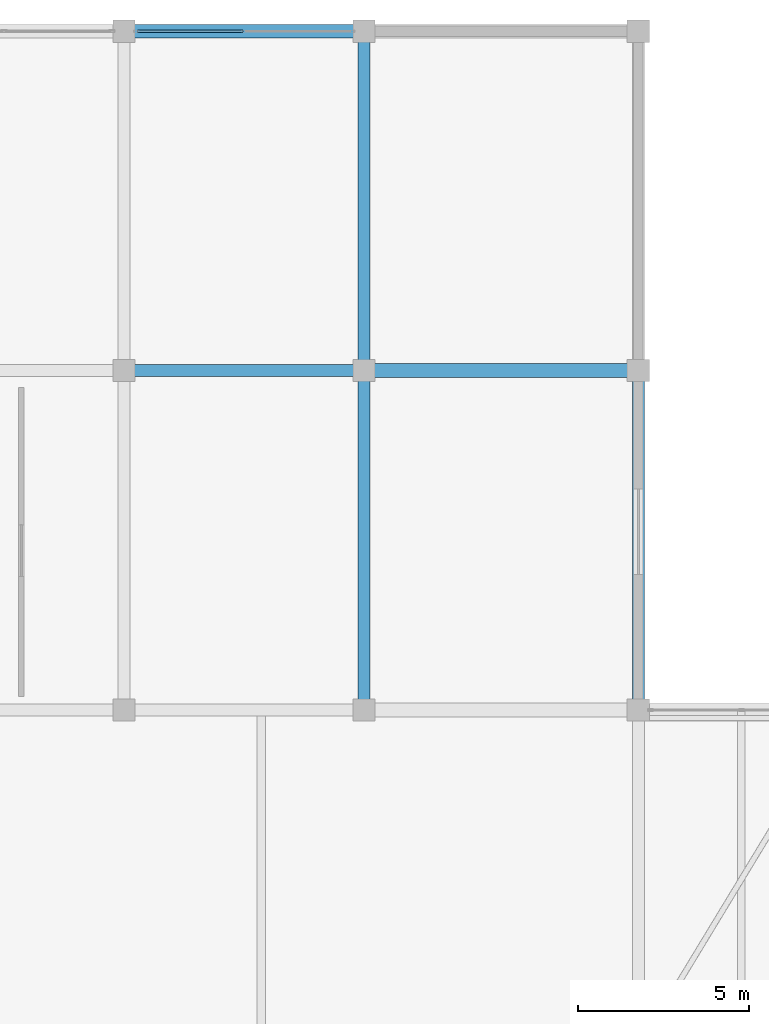
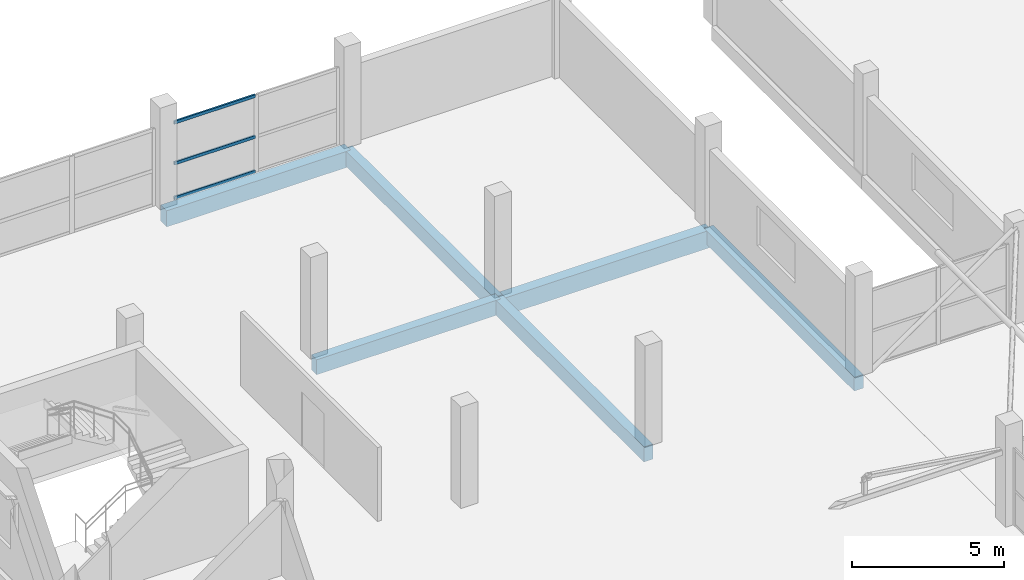
# One storey, part 45 of 66: 6 beams, 3 members, 1 element without a shape of its own.
"""IFC4 building model written with IfcOpenShell, lengths in metres."""

import ifcopenshell
import ifcopenshell.guid

model = None  # the IFC model being written
_history = None  # IfcOwnerHistory: only IFC2X3 demands one
_inside = {}  # id of a spatial element -> (the spatial element, [elements in it])
_under = {}  # id of a project, library or spatial element -> (it, [spatial elements below it])
_declared = {}  # id of a project -> (the project, [libraries it declares])
_typed = {}  # id of a type object -> (the type object, [elements of that type])
_made_of = {}  # id of a material, layer set ... -> (it, [elements and type objects made of it])


def new_model(schema):
    """Start an empty IFC model of exactly this schema.

    Asked for "IFC4X3", IfcOpenShell would pick the latest addendum, in which some entities
    have other attributes; the version numbers below select the first issue.
    IFC2X3 requires an IfcOwnerHistory on every rooted entity: one is made here for all.
    """
    global model, _history
    if schema == "IFC4X3":
        model = ifcopenshell.file(schema_version=(4, 3, 0, 0))
    else:
        model = ifcopenshell.file(schema=schema)
    _inside.clear()
    _under.clear()
    _declared.clear()
    _typed.clear()
    _made_of.clear()
    _history = None
    if model.schema == "IFC2X3":
        org = make("IfcOrganization", Name="unknown")
        user = make(
            "IfcPersonAndOrganization",
            ThePerson=make("IfcPerson", FamilyName="unknown"),
            TheOrganization=org,
        )
        app = make(
            "IfcApplication",
            ApplicationDeveloper=org,
            Version="unknown",
            ApplicationFullName="unknown",
            ApplicationIdentifier="unknown",
        )
        _history = make(
            "IfcOwnerHistory",
            OwningUser=user,
            OwningApplication=app,
            ChangeAction="ADDED",
            CreationDate=0,
        )
    return model


def make(cls, **values):
    """One entity of the class cls with the attributes given. An attribute that is None is left unset."""
    return model.create_entity(
        cls, **{name: value for name, value in values.items() if value is not None}
    )


def rooted(cls, **values):
    """An entity with a GlobalId (a new one), such as an element, a storey or a relation."""
    return make(cls, GlobalId=ifcopenshell.guid.new(), OwnerHistory=_history, **values)


def si_unit(unit_type, name, prefix=None):
    """IfcSIUnit, for example si_unit("LENGTHUNIT", "METRE", prefix="MILLI")."""
    return make("IfcSIUnit", UnitType=unit_type, Prefix=prefix, Name=name)


def assignment(units):
    """IfcUnitAssignment: the units of a project."""
    return None if units is None else make("IfcUnitAssignment", Units=units)


def point(xyz):
    """IfcCartesianPoint."""
    return None if xyz is None else make("IfcCartesianPoint", Coordinates=xyz)


def direction(xyz):
    """IfcDirection."""
    return None if xyz is None else make("IfcDirection", DirectionRatios=xyz)


def frame(location, z_axis=None, x_axis=None):
    """IfcAxis2Placement3D, a coordinate frame: its origin and axes. An axis left out is left unset."""
    return make(
        "IfcAxis2Placement3D",
        Location=point(location),
        Axis=direction(z_axis),
        RefDirection=direction(x_axis),
    )


def frame_2d(location, x_axis=None):
    """IfcAxis2Placement2D, a coordinate frame in the plane: its origin and x axis."""
    return make(
        "IfcAxis2Placement2D", Location=point(location), RefDirection=direction(x_axis)
    )


def origin():
    """The frame at (0, 0, 0) with its axes left unset."""
    return frame((0.0, 0.0, 0.0))


def origin_2d():
    """The frame at (0, 0) in the plane with its x axis left unset."""
    return frame_2d((0.0, 0.0))


def place(relative_to, where):
    """IfcLocalPlacement: puts the frame where relative to a parent placement (None: the world)."""
    return make(
        "IfcLocalPlacement", PlacementRelTo=relative_to, RelativePlacement=where
    )


def context(
    kind, dimensions, precision=None, world=None, true_north=None, identifier=None
):
    """IfcGeometricRepresentationContext, for example the 3D "Model" context."""
    return make(
        "IfcGeometricRepresentationContext",
        ContextIdentifier=identifier,
        ContextType=kind,
        CoordinateSpaceDimension=dimensions,
        Precision=precision,
        WorldCoordinateSystem=world,
        TrueNorth=true_north,
    )


def subcontext(parent, identifier, kind, view, scale=None):
    """IfcGeometricRepresentationSubContext, for example "Body" below "Model"."""
    return make(
        "IfcGeometricRepresentationSubContext",
        ContextIdentifier=identifier,
        ContextType=kind,
        ParentContext=parent,
        TargetScale=scale,
        TargetView=view,
    )


def project(units=None, contexts=None):
    """IfcProject with its units and contexts."""
    return rooted(
        "IfcProject",
        Name="project",
        RepresentationContexts=contexts,
        UnitsInContext=assignment(units),
    )


def spatial(cls, under=None, at=None, **own):
    """A site, building, storey or space (cls), placed at a placement, below another one or the project."""
    s = rooted(cls, ObjectPlacement=at, **own)
    if under is not None:
        _under.setdefault(under.id(), (under, []))[1].append(s)
    return s


def profile(cls, at=None, kind="AREA", **sizes):
    """A parametric profile (cls). Its sizes go by their IFC names, for example OverallWidth=200.0."""
    return make(cls, ProfileType=kind, Position=at, **sizes)


def rectangle(**sizes):
    """IfcRectangleProfileDef."""
    return profile("IfcRectangleProfileDef", **sizes)


def hollow_rectangle(**sizes):
    """IfcRectangleHollowProfileDef."""
    return profile("IfcRectangleHollowProfileDef", **sizes)


def extrude(swept, where, along, depth):
    """IfcExtrudedAreaSolid: the profile swept, set in the frame where, extruded along a direction by depth."""
    return make(
        "IfcExtrudedAreaSolid",
        SweptArea=swept,
        Position=where,
        ExtrudedDirection=direction(along),
        Depth=depth,
    )


def shape(context_of_items, identifier, shape_type, items):
    """IfcShapeRepresentation: the items that make up one representation, for example the "Body"."""
    return make(
        "IfcShapeRepresentation",
        ContextOfItems=context_of_items,
        RepresentationIdentifier=identifier,
        RepresentationType=shape_type,
        Items=items,
    )


def material(Name=None, Category=None):
    """IfcMaterial."""
    return make("IfcMaterial", Name=Name, Category=Category)


def layer(
    of_material, thickness, ventilated=None, Name=None, Category=None, Priority=None
):
    """IfcMaterialLayer: one layer of a wall or slab, of a material (None: an air gap)."""
    return make(
        "IfcMaterialLayer",
        Material=of_material,
        LayerThickness=thickness,
        IsVentilated=ventilated,
        Name=Name,
        Category=Category,
        Priority=Priority,
    )


def layer_set(layers, Name=None):
    """IfcMaterialLayerSet."""
    return make("IfcMaterialLayerSet", MaterialLayers=layers, LayerSetName=Name)


def material_profile(
    of_material, cross_section, Name=None, Category=None, Priority=None
):
    """IfcMaterialProfile: a cross section and its material."""
    return make(
        "IfcMaterialProfile",
        Name=Name,
        Material=of_material,
        Profile=cross_section,
        Priority=Priority,
        Category=Category,
    )


def profile_set(profiles, Name=None, composite=None):
    """IfcMaterialProfileSet."""
    return make(
        "IfcMaterialProfileSet",
        Name=Name,
        MaterialProfiles=profiles,
        CompositeProfile=composite,
    )


def made_of(thing, what):
    """Note that an element or type object is made of a material, layer set ...; save() writes the relation."""
    if what is not None:
        _made_of.setdefault(what.id(), (what, []))[1].append(thing)
    return thing


def type_object(cls, material=None, **own):
    """A type object (cls), such as IfcWallType, which elements share."""
    return made_of(rooted(cls, **own), material)


def element(
    cls,
    number,
    at=None,
    inside=None,
    cuts=None,
    type_object=None,
    material=None,
    context=None,
    identifier="Body",
    shape_type=None,
    held_by="IfcProductDefinitionShape",
    body=None,
    shapes=None,
    **own,
):
    """One element of the class cls, such as IfcWall. Its Tag is "e" and its number.

    at: its placement. inside: the storey or other place that contains it. cuts: it is an
    opening in that element (IfcRelVoidsElement). A single representation is given by context,
    identifier, shape_type and body (its items); several are given by shapes. held_by: the class
    of the entity that holds the representations. save() writes the other relations.
    """
    e = rooted(cls, Tag="e%d" % number, ObjectPlacement=at, **own)
    if body is not None:
        shapes = [shape(context, identifier, shape_type, body)]
    if shapes is not None:
        e.Representation = make(held_by, Representations=shapes)
    if inside is not None:
        _inside.setdefault(inside.id(), (inside, []))[1].append(e)
    if cuts is not None:
        rooted(
            "IfcRelVoidsElement", RelatingBuildingElement=cuts, RelatedOpeningElement=e
        )
    if type_object is not None:
        _typed.setdefault(type_object.id(), (type_object, []))[1].append(e)
    return made_of(e, material)


def aggregate(whole, parts):
    """IfcRelAggregates: a whole, such as a stair, and the parts it consists of."""
    return rooted("IfcRelAggregates", RelatingObject=whole, RelatedObjects=parts)


def save(model, path):
    """Write the relations noted so far, then the file.

    IfcRelAggregates (storeys below a building ...), IfcRelContainedInSpatialStructure (elements
    in a storey), IfcRelDefinesByType, IfcRelAssociatesMaterial and IfcRelDeclares: one each for
    every whole, place, type object, material and project.
    """
    for whole, parts in _under.values():
        aggregate(whole, parts)
    for where, things in _inside.values():
        rooted(
            "IfcRelContainedInSpatialStructure",
            RelatedElements=things,
            RelatingStructure=where,
        )
    for kind, things in _typed.values():
        rooted("IfcRelDefinesByType", RelatedObjects=things, RelatingType=kind)
    for what, things in _made_of.values():
        rooted("IfcRelAssociatesMaterial", RelatedObjects=things, RelatingMaterial=what)
    for by, libraries in _declared.values():
        rooted("IfcRelDeclares", RelatingContext=by, RelatedDefinitions=libraries)
    model.write(path)


model = new_model("IFC4")

# Units and contexts
model_context = context("Model", 3, precision=1e-05, world=origin(), true_north=direction((0.0, 1.0)))
body_context = subcontext(model_context, "Body", "Model", "MODEL_VIEW")
ifc_project = project(units=[si_unit("LENGTHUNIT", "METRE"), si_unit("AREAUNIT", "SQUARE_METRE"), si_unit("VOLUMEUNIT", "CUBIC_METRE"), si_unit("PLANEANGLEUNIT", "RADIAN"), si_unit("MASSUNIT", "GRAM", prefix="KILO")], contexts=[model_context])

# Site, building, storey
site_placement = place(None, origin())
site = spatial("IfcSite", under=ifc_project, at=site_placement, CompositionType="ELEMENT")
building_placement = place(site_placement, origin())
building = spatial("IfcBuilding", under=site, at=building_placement, Name="Sillaruma Civic Art Gallery", CompositionType="ELEMENT")
storey_placement = place(building_placement, frame((0.0, 0.0, 62.219970703125)))
storey = spatial("IfcBuildingStorey", under=building, at=storey_placement, Name="L12", CompositionType="ELEMENT", Elevation=62.219970703125)

# Beams
ifc_material_1 = material(Name="Concrete H35 (35 MPa)", Category="concrete")
ifc_material_profile_1 = material_profile(ifc_material_1, rectangle(XDim=0.35009765625, YDim=0.60009765625, at=origin_2d()), Name="RCB350x600")
ifc_profile_set_1 = profile_set([ifc_material_profile_1], Name="Concrete H35 (35 MPa)")
beam_type_1 = type_object("IfcBeamType", Name="BM-BEAM-RCB350x600", PredefinedType="BEAM", material=ifc_profile_set_1)
beam_1_placement = place(storey_placement, frame((77.0, 89.10009765625, -0.530029296875), z_axis=(1.0, 0.0, 0.0), x_axis=(0.0, 1.0, 0.0)))
element("IfcBeam", 1, at=beam_1_placement, inside=storey, type_object=beam_type_1, Name="Beam BM-06 (L11:10:H-J)", PredefinedType="BEAM", context=body_context, shape_type="SweptSolid", body=[
    extrude(rectangle(XDim=0.35009765625, YDim=0.60009765625, at=origin_2d()), origin(), (0.0, 0.0, 1.0), 7.0),
])
beam_2_placement = place(storey_placement, frame((84.0, 79.199951171875, -0.530029296875), z_axis=(0.0, 1.0, 0.0), x_axis=(-1.0, 0.0, 0.0)))
element("IfcBeam", 2, at=beam_2_placement, inside=storey, type_object=beam_type_1, Name="Beam BM-06 (L11:J:9-10)", PredefinedType="BEAM", context=body_context, shape_type="SweptSolid", body=[
    extrude(rectangle(XDim=0.35009765625, YDim=0.60009765625, at=origin_2d()), origin(), (0.0, 0.0, 1.0), 9.900146484375),
])
beam_3_placement = place(storey_placement, frame((84.0, 89.10009765625, -0.530029296875), z_axis=(0.0, 1.0, 0.0), x_axis=(-1.0, 0.0, 0.0)))
element("IfcBeam", 3, at=beam_3_placement, inside=storey, type_object=beam_type_1, Name="Beam BM-06 (L11:J:10-11)", PredefinedType="BEAM", context=body_context, shape_type="SweptSolid", body=[
    extrude(rectangle(XDim=0.35009765625, YDim=0.60009765625, at=origin_2d()), origin(), (0.0, 0.0, 1.0), 9.89990234375),
])
ifc_material_profile_2 = material_profile(ifc_material_1, rectangle(XDim=0.39990234375, YDim=0.699951171875, at=origin_2d()), Name="RCB400x700")
ifc_profile_set_2 = profile_set([ifc_material_profile_2], Name="Concrete H35 (35 MPa)")
beam_type_2 = type_object("IfcBeamType", Name="BM-BEAM-RCB400x700", PredefinedType="BEAM", material=ifc_profile_set_2)
beam_4_placement = place(storey_placement, frame((84.0, 89.10009765625, -0.580078125), z_axis=(1.0, 0.0, 0.0), x_axis=(0.0, 1.0, 0.0)))
element("IfcBeam", 4, at=beam_4_placement, inside=storey, type_object=beam_type_2, Name="Beam BM-04 (L11:10:J-K)", PredefinedType="BEAM", context=body_context, shape_type="SweptSolid", body=[
    extrude(rectangle(XDim=0.39990234375, YDim=0.699951171875, at=origin_2d()), origin(), (0.0, 0.0, 1.0), 8.0),
])
ifc_material_profile_3 = material_profile(ifc_material_1, rectangle(XDim=0.35009765625, YDim=0.550048828125, at=origin_2d()), Name="RCB350x550")
ifc_profile_set_3 = profile_set([ifc_material_profile_3], Name="Concrete H35 (35 MPa)")
beam_type_3 = type_object("IfcBeamType", Name="BM-SPANDREL-RCB350x550", PredefinedType="SPANDREL", material=ifc_profile_set_3)
beam_5_placement = place(storey_placement, frame((92.0, 79.199951171875, -0.5048828125), z_axis=(0.0, 1.0, 0.0), x_axis=(-1.0, 0.0, 0.0)))
element("IfcBeam", 5, at=beam_5_placement, inside=storey, type_object=beam_type_3, Name="Beam BS-04 (L11:K:9-10)", PredefinedType="SPANDREL", context=body_context, shape_type="SweptSolid", body=[
    extrude(rectangle(XDim=0.35009765625, YDim=0.550048828125, at=origin_2d()), origin(), (0.0, 0.0, 1.0), 9.900146484375),
])
ifc_material_profile_4 = material_profile(ifc_material_1, rectangle(XDim=0.39990234375, YDim=0.64990234375, at=origin_2d()), Name="RCB400x650")
ifc_profile_set_4 = profile_set([ifc_material_profile_4], Name="Concrete H35 (35 MPa)")
beam_type_4 = type_object("IfcBeamType", Name="BM-SPANDREL-RCB400x650", PredefinedType="SPANDREL", material=ifc_profile_set_4)
beam_6_placement = place(storey_placement, frame((77.0, 99.0, -0.554931640625), z_axis=(1.0, 0.0, 0.0), x_axis=(0.0, 1.0, 0.0)))
element("IfcBeam", 6, at=beam_6_placement, inside=storey, type_object=beam_type_4, Name="Beam BS-02 (L11:11:H-J)", PredefinedType="SPANDREL", context=body_context, shape_type="SweptSolid", body=[
    extrude(rectangle(XDim=0.39990234375, YDim=0.64990234375, at=origin_2d()), origin(), (0.0, 0.0, 1.0), 7.0),
])

# Curtain wall, members
ifc_material_2 = material(Name="Thermally Broken Extruded Aluminium 6063-T6", Category="aluminium")
ifc_layer = layer(ifc_material_2, 0.159912109375, Name="Thermally Broken Extruded Aluminium 6063-T6")
ifc_layer_set = layer_set([ifc_layer], Name="Thermally Broken Extruded Aluminium 6063-T6")
curtain_wall_type = type_object("IfcCurtainWallType", Name="CW-UNI-96", PredefinedType="NOTDEFINED", material=ifc_layer_set)
curtain_wall_placement = place(storey_placement, origin())
curtain_wall = element("IfcCurtainWall", 7, at=curtain_wall_placement, inside=storey, type_object=curtain_wall_type, Name="Unitised Curtain Wall CW-96 (CW-L12-WBN-3)", PredefinedType="NOTDEFINED")
ifc_material_profile_5 = material_profile(ifc_material_2, hollow_rectangle(XDim=0.06494140625, YDim=0.1201171875, WallThickness=0.00341796875, at=origin_2d()), Name="CWT65x120")
ifc_profile_set_5 = profile_set([ifc_material_profile_5], Name="Thermally Broken Extruded Aluminium 6063-T6")
member_type = type_object("IfcMemberType", Name="MEM-TRN-CWT65x120", PredefinedType="USERDEFINED", material=ifc_profile_set_5)
member_1_placement = place(storey_placement, frame((77.389892578125, 99.0, 0.032470703125), z_axis=(1.0, 0.0, 0.0), x_axis=(0.0, 1.0, 0.0)))
member_1 = element("IfcMember", 8, at=member_1_placement, type_object=member_type, Name="CW-96 transom 1.1", ObjectType="TRANSOM", PredefinedType="USERDEFINED", context=body_context, shape_type="SweptSolid", body=[
    extrude(hollow_rectangle(XDim=0.06494140625, YDim=0.1201171875, WallThickness=0.00341796875, at=origin_2d()), origin(), (0.0, 0.0, 1.0), 3.07763671875),
])
member_2_placement = place(storey_placement, frame((77.389892578125, 99.0, 1.426025390625), z_axis=(1.0, 0.0, 0.0), x_axis=(0.0, 1.0, 0.0)))
member_2 = element("IfcMember", 9, at=member_2_placement, type_object=member_type, Name="CW-96 transom 1.2", ObjectType="TRANSOM", PredefinedType="USERDEFINED", context=body_context, shape_type="SweptSolid", body=[
    extrude(hollow_rectangle(XDim=0.06494140625, YDim=0.1201171875, WallThickness=0.00341796875, at=origin_2d()), origin(), (0.0, 0.0, 1.0), 3.07763671875),
])
member_3_placement = place(storey_placement, frame((77.389892578125, 99.0, 3.067626953125), z_axis=(1.0, 0.0, 0.0), x_axis=(0.0, 1.0, 0.0)))
member_3 = element("IfcMember", 10, at=member_3_placement, type_object=member_type, Name="CW-96 transom 1.3", ObjectType="TRANSOM", PredefinedType="USERDEFINED", context=body_context, shape_type="SweptSolid", body=[
    extrude(hollow_rectangle(XDim=0.06494140625, YDim=0.1201171875, WallThickness=0.00341796875, at=origin_2d()), origin(), (0.0, 0.0, 1.0), 3.07763671875),
])
aggregate(curtain_wall, [member_1, member_2, member_3])

save(model, "model.ifc")
